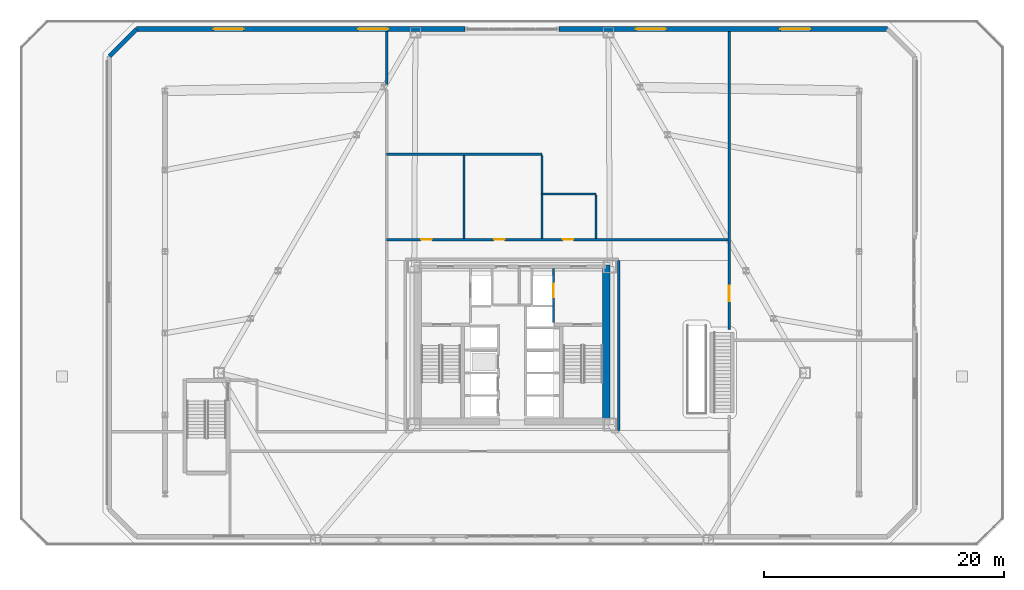
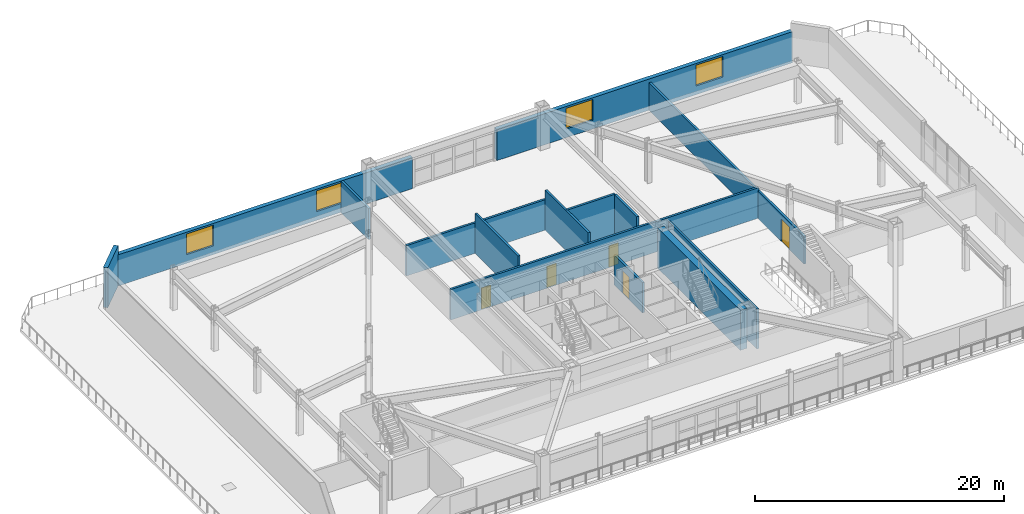
# One storey, part 9 of 16: 14 walls, 5 doors, 4 windows, 9 openings.
"""IFC4 building model written with IfcOpenShell, lengths in metres."""

from ifc_helpers import new_model, si_unit, direction, frame, frame_2d, origin, place, context, subcontext, project, spatial, rectangle, extrude, material, layer, layer_set, type_object, element, fill, save


model = new_model("IFC4")

# Units and contexts
model_context = context("Model", 3, precision=1e-05, world=origin(), true_north=direction((0.0, 1.0)))
body_context = subcontext(model_context, "Body", "Model", "MODEL_VIEW")
ifc_project = project(units=[si_unit("LENGTHUNIT", "METRE"), si_unit("AREAUNIT", "SQUARE_METRE"), si_unit("VOLUMEUNIT", "CUBIC_METRE"), si_unit("PLANEANGLEUNIT", "RADIAN"), si_unit("MASSUNIT", "GRAM", prefix="KILO")], contexts=[model_context])

# Site, building, storey
site_placement = place(None, origin())
site = spatial("IfcSite", under=ifc_project, at=site_placement, CompositionType="ELEMENT")
building_placement = place(site_placement, origin())
building = spatial("IfcBuilding", under=site, at=building_placement, Name="Oramaril Tower", CompositionType="ELEMENT")
storey_placement = place(building_placement, frame((0.0, 0.0, 9.89990234375)))
storey = spatial("IfcBuildingStorey", under=building, at=storey_placement, Name="L02", CompositionType="ELEMENT", Elevation=9.89990234375)

# Wall, openings, windows
ifc_material_1 = material(Name="Warm Cream Limestone", Category="masonry")
ifc_layer_1 = layer(ifc_material_1, 0.3798828125)
ifc_layer_set_1 = layer_set([ifc_layer_1], Name="WT-EXT38")
wall_type_1 = type_object("IfcWallType", Name="WT-EXT38", PredefinedType="SOLIDWALL", material=ifc_layer_set_1)
wall_1_placement = place(storey_placement, frame((68.772216796875, 43.949951171875, 0.0), z_axis=(0.0, 0.0, 1.0), x_axis=(-1.0, 0.0, 0.0)))
wall_1 = element("IfcWall", 1, at=wall_1_placement, inside=storey, type_object=wall_type_1, Name="L02 Limestone Facade Wall EW-5A", PredefinedType="SOLIDWALL", context=body_context, shape_type="SweptSolid", body=[
    extrude(rectangle(XDim=27.372314453125, YDim=0.3798828125, at=frame_2d((13.68603515625, 0.0))), origin(), (0.0, 0.0, 1.0), 3.05419921875),
])
opening_1_placement = place(wall_1_placement, frame((6.414306640625, 0.0, 0.85009765625)))
opening_1 = element("IfcOpeningElement", 2, at=opening_1_placement, cuts=wall_1, Name="Opening WN-11", PredefinedType="OPENING", context=body_context, shape_type="SweptSolid", body=[
    extrude(rectangle(XDim=2.5, YDim=2.033935546875, at=frame_2d((1.25, 1.01708984375))), frame((0.0, 0.18994140625, 0.0), z_axis=(0.0, -1.0, 0.0), x_axis=(1.0, 0.0, 0.0)), (0.0, 0.0, 1.0), 0.3798828125),
])
opening_2_placement = place(wall_1_placement, frame((18.4580078125, 0.0, 0.85009765625)))
opening_2 = element("IfcOpeningElement", 3, at=opening_2_placement, cuts=wall_1, Name="Opening WN-11", PredefinedType="OPENING", context=body_context, shape_type="SweptSolid", body=[
    extrude(rectangle(XDim=2.5, YDim=2.033935546875, at=frame_2d((1.25, 1.01708984375))), frame((0.0, 0.18994140625, 0.0), z_axis=(0.0, -1.0, 0.0), x_axis=(1.0, 0.0, 0.0)), (0.0, 0.0, 1.0), 0.3798828125),
])
ifc_material_2 = material(Name="Coastal Low-E Insulated Glass", Category="glass")
window_type = type_object("IfcWindowType", Name="WNT-11", PartitioningType="SINGLE_PANEL", PredefinedType="WINDOW", material=ifc_material_2)
window_1_placement = place(opening_1_placement, origin())
window_1 = element("IfcWindow", 4, at=window_1_placement, inside=storey, type_object=window_type, Name="L02 Podium Chicago Window", OverallHeight=2.033935546875, OverallWidth=2.5, PartitioningType="SINGLE_PANEL", PredefinedType="WINDOW", context=body_context, shape_type="SweptSolid", body=[
    extrude(rectangle(XDim=2.5, YDim=2.033935546875, at=frame_2d((1.25, 1.01708984375))), frame((0.0, 0.030029296875, 0.0), z_axis=(0.0, -1.0, 0.0), x_axis=(1.0, 0.0, 0.0)), (0.0, 0.0, 1.0), 0.06005859375),
])
fill(opening_1, window_1)
window_2_placement = place(opening_2_placement, origin())
window_2 = element("IfcWindow", 5, at=window_2_placement, inside=storey, type_object=window_type, Name="L02 Podium Chicago Window", OverallHeight=2.033935546875, OverallWidth=2.5, PartitioningType="SINGLE_PANEL", PredefinedType="WINDOW", context=body_context, shape_type="SweptSolid", body=[
    extrude(rectangle(XDim=2.5, YDim=2.033935546875, at=frame_2d((1.25, 1.01708984375))), frame((0.0, 0.030029296875, 0.0), z_axis=(0.0, -1.0, 0.0), x_axis=(1.0, 0.0, 0.0)), (0.0, 0.0, 1.0), 0.06005859375),
])
fill(opening_2, window_2)

wall_2_placement = place(storey_placement, frame((33.60009765625, 43.949951171875, 0.0), z_axis=(0.0, 0.0, 1.0), x_axis=(-1.0, 0.0, 0.0)))
wall_2 = element("IfcWall", 6, at=wall_2_placement, inside=storey, type_object=wall_type_1, Name="L02 Limestone Facade Wall EW-5B", PredefinedType="SOLIDWALL", context=body_context, shape_type="SweptSolid", body=[
    extrude(rectangle(XDim=27.372314453125, YDim=0.3798828125, at=frame_2d((13.68603515625, 0.0))), origin(), (0.0, 0.0, 1.0), 3.05419921875),
])
opening_3_placement = place(wall_2_placement, frame((6.414306640625, 0.0, 0.85009765625)))
opening_3 = element("IfcOpeningElement", 7, at=opening_3_placement, cuts=wall_2, Name="Opening WN-11", PredefinedType="OPENING", context=body_context, shape_type="SweptSolid", body=[
    extrude(rectangle(XDim=2.5, YDim=2.033935546875, at=frame_2d((1.25, 1.01708984375))), frame((0.0, 0.18994140625, 0.0), z_axis=(0.0, -1.0, 0.0), x_axis=(1.0, 0.0, 0.0)), (0.0, 0.0, 1.0), 0.3798828125),
])
opening_4_placement = place(wall_2_placement, frame((18.4580078125, 0.0, 0.85009765625)))
opening_4 = element("IfcOpeningElement", 8, at=opening_4_placement, cuts=wall_2, Name="Opening WN-11", PredefinedType="OPENING", context=body_context, shape_type="SweptSolid", body=[
    extrude(rectangle(XDim=2.5, YDim=2.033935546875, at=frame_2d((1.25, 1.01708984375))), frame((0.0, 0.18994140625, 0.0), z_axis=(0.0, -1.0, 0.0), x_axis=(1.0, 0.0, 0.0)), (0.0, 0.0, 1.0), 0.3798828125),
])
window_3_placement = place(opening_3_placement, origin())
window_3 = element("IfcWindow", 9, at=window_3_placement, inside=storey, type_object=window_type, Name="L02 Podium Chicago Window", OverallHeight=2.033935546875, OverallWidth=2.5, PartitioningType="SINGLE_PANEL", PredefinedType="WINDOW", context=body_context, shape_type="SweptSolid", body=[
    extrude(rectangle(XDim=2.5, YDim=2.033935546875, at=frame_2d((1.25, 1.01708984375))), frame((0.0, 0.030029296875, 0.0), z_axis=(0.0, -1.0, 0.0), x_axis=(1.0, 0.0, 0.0)), (0.0, 0.0, 1.0), 0.06005859375),
])
fill(opening_3, window_3)
window_4_placement = place(opening_4_placement, origin())
window_4 = element("IfcWindow", 10, at=window_4_placement, inside=storey, type_object=window_type, Name="L02 Podium Chicago Window", OverallHeight=2.033935546875, OverallWidth=2.5, PartitioningType="SINGLE_PANEL", PredefinedType="WINDOW", context=body_context, shape_type="SweptSolid", body=[
    extrude(rectangle(XDim=2.5, YDim=2.033935546875, at=frame_2d((1.25, 1.01708984375))), frame((0.0, 0.030029296875, 0.0), z_axis=(0.0, -1.0, 0.0), x_axis=(1.0, 0.0, 0.0)), (0.0, 0.0, 1.0), 0.06005859375),
])
fill(opening_4, window_4)

# Wall
wall_3_placement = place(storey_placement, frame((6.227783203125, 43.949951171875, 0.0), z_axis=(0.0, 0.0, 1.0), x_axis=(-0.707106781187, -0.707106781187, 0.0)))
element("IfcWall", 11, at=wall_3_placement, inside=storey, type_object=wall_type_1, Name="L02 Limestone Facade Wall EW-6M", PredefinedType="SOLIDWALL", context=body_context, shape_type="SweptSolid", body=[
    extrude(rectangle(XDim=3.221435546875, YDim=0.3798828125, at=frame_2d((1.61083984375, 0.0))), origin(), (0.0, 0.0, 1.0), 3.920166015625),
])

# Wall, openings, doors
ifc_material_3 = material(Name="Autoclaved Cellular Concrete Block", Category="concrete")
ifc_layer_2 = layer(ifc_material_3, 0.199951171875)
ifc_layer_set_2 = layer_set([ifc_layer_2], Name="WT-PT20")
wall_type_2 = type_object("IfcWallType", Name="WT-PT20", PredefinedType="PARTITIONING", material=ifc_layer_set_2)
wall_4_placement = place(storey_placement, frame((27.050048828125, 26.39990234375, 0.0), z_axis=(0.0, 0.0, 1.0), x_axis=(1.0, 0.0, 0.0)))
wall_4 = element("IfcWall", 12, at=wall_4_placement, inside=storey, type_object=wall_type_2, Name="L02 Interior Partition PT-20", PredefinedType="PARTITIONING", context=body_context, shape_type="SweptSolid", body=[
    extrude(rectangle(XDim=28.550048828125, YDim=0.199951171875, at=frame_2d((14.27490234375, 0.0))), origin(), (0.0, 0.0, 1.0), 2.983154296875),
])
opening_5_placement = place(wall_4_placement, frame((2.885498046875, 0.0, 0.0)))
opening_5 = element("IfcOpeningElement", 13, at=opening_5_placement, cuts=wall_4, Name="Opening D-L02-02", PredefinedType="OPENING", context=body_context, shape_type="SweptSolid", body=[
    extrude(rectangle(XDim=0.8798828125, YDim=2.080078125, at=frame_2d((0.43994140625, 1.0400390625))), frame((0.0, 0.10009765625, 0.0), z_axis=(0.0, -1.0, 0.0), x_axis=(1.0, 0.0, 0.0)), (0.0, 0.0, 1.0), 0.199951171875),
])
opening_6_placement = place(wall_4_placement, frame((8.964111328125, 0.0, 0.0)))
opening_6 = element("IfcOpeningElement", 14, at=opening_6_placement, cuts=wall_4, Name="Opening D-L02-03", PredefinedType="OPENING", context=body_context, shape_type="SweptSolid", body=[
    extrude(rectangle(XDim=0.8798828125, YDim=2.080078125, at=frame_2d((0.43994140625, 1.0400390625))), frame((0.0, 0.10009765625, 0.0), z_axis=(0.0, -1.0, 0.0), x_axis=(1.0, 0.0, 0.0)), (0.0, 0.0, 1.0), 0.199951171875),
])
opening_7_placement = place(wall_4_placement, frame((14.687744140625, 0.0, 0.0)))
opening_7 = element("IfcOpeningElement", 15, at=opening_7_placement, cuts=wall_4, Name="Opening D-L02-04", PredefinedType="OPENING", context=body_context, shape_type="SweptSolid", body=[
    extrude(rectangle(XDim=0.8798828125, YDim=2.080078125, at=frame_2d((0.43994140625, 1.0400390625))), frame((0.0, 0.10009765625, 0.0), z_axis=(0.0, -1.0, 0.0), x_axis=(1.0, 0.0, 0.0)), (0.0, 0.0, 1.0), 0.199951171875),
])
ifc_material_4 = material(Name="FSC Brazilian Freijo Hardwood", Category="wood")
door_type_1 = type_object("IfcDoorType", Name="DT-BATH", OperationType="NOTDEFINED", PredefinedType="DOOR", material=ifc_material_4)
door_1_placement = place(opening_5_placement, origin())
door_1 = element("IfcDoor", 16, at=door_1_placement, inside=storey, type_object=door_type_1, Name="L02 L02 Male WC Door D-L02-02", OperationType="SINGLE_SWING_LEFT", OverallHeight=2.080078125, OverallWidth=0.8798828125, PredefinedType="DOOR", context=body_context, shape_type="SweptSolid", body=[
    extrude(rectangle(XDim=0.8798828125, YDim=2.080078125, at=frame_2d((0.43994140625, 1.0400390625))), frame((0.0, 0.02490234375, 0.0), z_axis=(0.0, -1.0, 0.0), x_axis=(1.0, 0.0, 0.0)), (0.0, 0.0, 1.0), 0.050048828125),
])
fill(opening_5, door_1)
door_2_placement = place(opening_6_placement, origin())
door_2 = element("IfcDoor", 17, at=door_2_placement, inside=storey, type_object=door_type_1, Name="L02 L02 Female WC Door D-L02-03", OperationType="SINGLE_SWING_RIGHT", OverallHeight=2.080078125, OverallWidth=0.8798828125, PredefinedType="DOOR", context=body_context, shape_type="SweptSolid", body=[
    extrude(rectangle(XDim=0.8798828125, YDim=2.080078125, at=frame_2d((0.43994140625, 1.0400390625))), frame((0.0, 0.02490234375, 0.0), z_axis=(0.0, -1.0, 0.0), x_axis=(1.0, 0.0, 0.0)), (0.0, 0.0, 1.0), 0.050048828125),
])
fill(opening_6, door_2)
door_3_placement = place(opening_7_placement, origin())
door_3 = element("IfcDoor", 18, at=door_3_placement, inside=storey, type_object=door_type_1, Name="L02 L02 Accessible WC Door D-L02-04", OperationType="SINGLE_SWING_LEFT", OverallHeight=2.080078125, OverallWidth=0.8798828125, PredefinedType="DOOR", context=body_context, shape_type="SweptSolid", body=[
    extrude(rectangle(XDim=0.8798828125, YDim=2.080078125, at=frame_2d((0.43994140625, 1.0400390625))), frame((0.0, 0.02490234375, 0.0), z_axis=(0.0, -1.0, 0.0), x_axis=(1.0, 0.0, 0.0)), (0.0, 0.0, 1.0), 0.050048828125),
])
fill(opening_7, door_3)

# Walls
wall_5_placement = place(storey_placement, frame((40.0, 30.199951171875, 0.0), z_axis=(0.0, 0.0, 1.0), x_axis=(1.0, 0.0, 0.0)))
element("IfcWall", 19, at=wall_5_placement, inside=storey, type_object=wall_type_2, Name="L02 Interior Partition PT-20", PredefinedType="PARTITIONING", context=body_context, shape_type="SweptSolid", body=[
    extrude(rectangle(XDim=4.5, YDim=0.199951171875, at=frame_2d((2.25, 0.0))), origin(), (0.0, 0.0, 1.0), 3.920166015625),
])
wall_6_placement = place(storey_placement, frame((27.050048828125, 33.5, 0.0), z_axis=(0.0, 0.0, 1.0), x_axis=(1.0, 0.0, 0.0)))
element("IfcWall", 20, at=wall_6_placement, inside=storey, type_object=wall_type_2, Name="L02 Interior Partition PT-20", PredefinedType="PARTITIONING", context=body_context, shape_type="SweptSolid", body=[
    extrude(rectangle(XDim=12.949951171875, YDim=0.199951171875, at=frame_2d((6.47509765625, 0.0))), origin(), (0.0, 0.0, 1.0), 2.983154296875),
])
wall_7_placement = place(storey_placement, frame((27.050048828125, 39.33154296875, 0.0), z_axis=(0.0, 0.0, 1.0), x_axis=(0.0, 1.0, 0.0)))
element("IfcWall", 21, at=wall_7_placement, inside=storey, type_object=wall_type_2, Name="L02 Interior Partition PT-20", PredefinedType="PARTITIONING", context=body_context, shape_type="SweptSolid", body=[
    extrude(rectangle(XDim=4.424560546875, YDim=0.199951171875, at=frame_2d((2.21240234375, 0.0))), origin(), (0.0, 0.0, 1.0), 3.05419921875),
])
for number, where, z_axis, x_axis, name in (
    (22, (33.5, 26.50390625, 0.0), (0.0, 0.0, 1.0), (0.0, 1.0, 0.0), "L02 Interior Partition PT-20"),
    (23, (40.0, 26.50390625, 0.0), (0.0, 0.0, 1.0), (0.0, 1.0, 0.0), "L02 Interior Partition PT-20"),
):
    element("IfcWall", number, at=place(storey_placement, frame(where, z_axis=z_axis, x_axis=x_axis)), inside=storey, type_object=wall_type_2, Name=name, PredefinedType="PARTITIONING", context=body_context, shape_type="SweptSolid", body=[
        extrude(rectangle(XDim=6.89208984375, YDim=0.199951171875, at=frame_2d((3.446044921875, 0.0))), origin(), (0.0, 0.0, 1.0), 3.920166015625),
    ])
wall_8_placement = place(storey_placement, frame((44.5, 26.50390625, 0.0), z_axis=(0.0, 0.0, 1.0), x_axis=(0.0, 1.0, 0.0)))
element("IfcWall", 24, at=wall_8_placement, inside=storey, type_object=wall_type_2, Name="L02 Interior Partition PT-20", PredefinedType="PARTITIONING", context=body_context, shape_type="SweptSolid", body=[
    extrude(rectangle(XDim=3.592041015625, YDim=0.199951171875, at=frame_2d((1.7958984375, 0.0))), origin(), (0.0, 0.0, 1.0), 3.920166015625),
])
wall_9_placement = place(storey_placement, frame((46.3798828125, 10.50390625, 0.0), z_axis=(0.0, 0.0, 1.0), x_axis=(0.0, 1.0, 0.0)))
element("IfcWall", 25, at=wall_9_placement, inside=storey, type_object=wall_type_2, Name="L02 Interior Partition PT-20", PredefinedType="PARTITIONING", context=body_context, shape_type="SweptSolid", body=[
    extrude(rectangle(XDim=14.14208984375, YDim=0.199951171875, at=frame_2d((7.071044921875, 0.0))), origin(), (0.0, 0.0, 1.0), 3.920166015625),
])

# Wall, opening, door
wall_10_placement = place(storey_placement, frame((55.60009765625, 18.889404296875, 0.0), z_axis=(0.0, 0.0, 1.0), x_axis=(0.0, 1.0, 0.0)))
wall_10 = element("IfcWall", 26, at=wall_10_placement, inside=storey, type_object=wall_type_2, Name="L02 Interior Partition PT-20", PredefinedType="PARTITIONING", context=body_context, shape_type="SweptSolid", body=[
    extrude(rectangle(XDim=24.86669921875, YDim=0.199951171875, at=frame_2d((12.433349609375, 0.0))), origin(), (0.0, 0.0, 1.0), 2.710205078125),
])
opening_8_placement = place(wall_10_placement, frame((2.3564453125, 0.0, 0.0)))
opening_8 = element("IfcOpeningElement", 27, at=opening_8_placement, cuts=wall_10, Name="Opening D-L02-07", PredefinedType="OPENING", context=body_context, shape_type="SweptSolid", body=[
    extrude(rectangle(XDim=1.300048828125, YDim=2.199951171875, at=frame_2d((0.64990234375, 1.10009765625))), frame((0.0, 0.10009765625, 0.0), z_axis=(0.0, -1.0, 0.0), x_axis=(1.0, 0.0, 0.0)), (0.0, 0.0, 1.0), 0.199951171875),
])
ifc_material_5 = material(Name="FSC Brazilian Freijo Hardwood", Category="wood")
door_type_2 = type_object("IfcDoorType", Name="DT-COM", OperationType="NOTDEFINED", PredefinedType="DOOR", material=ifc_material_5)
door_4_placement = place(opening_8_placement, origin())
door_4 = element("IfcDoor", 28, at=door_4_placement, inside=storey, type_object=door_type_2, Name="L02 L02 Residents Ballroom and Banquet Hall Door D-L02-07", OperationType="SINGLE_SWING_RIGHT", OverallHeight=2.199951171875, OverallWidth=1.300048828125, PredefinedType="DOOR", context=body_context, shape_type="SweptSolid", body=[
    extrude(rectangle(XDim=1.300048828125, YDim=2.199951171875, at=frame_2d((0.64990234375, 1.10009765625))), frame((0.0, 0.02490234375, 0.0), z_axis=(0.0, -1.0, 0.0), x_axis=(1.0, 0.0, 0.0)), (0.0, 0.0, 1.0), 0.050048828125),
])
fill(opening_8, door_4)

# Wall
ifc_material_6 = material(Name="Concrete C50/60", Category="concrete")
ifc_layer_3 = layer(ifc_material_6, 0.60009765625)
ifc_layer_set_3 = layer_set([ifc_layer_3], Name="WT-SH60")
wall_type_3 = type_object("IfcWallType", Name="WT-SH60", PredefinedType="SHEAR", material=ifc_layer_set_3)
wall_11_placement = place(storey_placement, frame((45.360107421875, 11.0, 0.0), z_axis=(0.0, 0.0, 1.0), x_axis=(0.0, 1.0, 0.0)))
element("IfcWall", 29, at=wall_11_placement, inside=storey, type_object=wall_type_3, Name="L02 Core Shear Wall CW-E", PredefinedType="SHEAR", context=body_context, shape_type="SweptSolid", body=[
    extrude(rectangle(XDim=13.300048828125, YDim=0.60009765625, at=frame_2d((6.64990234375, 0.0))), origin(), (0.0, 0.0, 1.0), 3.920166015625),
])

# Wall, opening, door
ifc_material_7 = material(Name="Autoclaved Cellular Concrete Block", Category="concrete")
ifc_layer_4 = layer(ifc_material_7, 0.199951171875)
ifc_layer_set_4 = layer_set([ifc_layer_4], Name="WT-SHF20")
wall_type_4 = type_object("IfcWallType", Name="WT-SHF20", PredefinedType="PARTITIONING", material=ifc_layer_set_4)
wall_12_placement = place(storey_placement, frame((40.9599609375, 19.47998046875, 0.0), z_axis=(0.0, 0.0, 1.0), x_axis=(0.0, 1.0, 0.0)))
wall_12 = element("IfcWall", 30, at=wall_12_placement, inside=storey, type_object=wall_type_4, Name="L02 FL-2 Lobby Shaft Wall", PredefinedType="PARTITIONING", context=body_context, shape_type="SweptSolid", body=[
    extrude(rectangle(XDim=4.5, YDim=0.199951171875, at=frame_2d((2.25, 0.0))), origin(), (0.0, 0.0, 1.0), 2.960205078125),
])
opening_9_placement = place(wall_12_placement, frame((2.1201171875, 0.0, 0.0)))
opening_9 = element("IfcOpeningElement", 31, at=opening_9_placement, cuts=wall_12, Name="Opening LD-L02-FL-2", PredefinedType="OPENING", context=body_context, shape_type="SweptSolid", body=[
    extrude(rectangle(XDim=1.10009765625, YDim=2.199951171875, at=frame_2d((0.550048828125, 1.10009765625))), frame((0.0, 0.10009765625, 0.0), z_axis=(0.0, -1.0, 0.0), x_axis=(1.0, 0.0, 0.0)), (0.0, 0.0, 1.0), 0.199951171875),
])
ifc_material_8 = material(Name="Stainless Steel 316L", Category="steel")
door_type_3 = type_object("IfcDoorType", Name="DT-LD1", OperationType="NOTDEFINED", PredefinedType="DOOR", material=ifc_material_8)
door_5_placement = place(opening_9_placement, origin())
door_5 = element("IfcDoor", 32, at=door_5_placement, inside=storey, type_object=door_type_3, Name="L02 Lift FL-2 Sliding Landing Door", OperationType="SLIDING_TO_RIGHT", OverallHeight=2.199951171875, OverallWidth=1.10009765625, PredefinedType="DOOR", context=body_context, shape_type="SweptSolid", body=[
    extrude(rectangle(XDim=1.10009765625, YDim=2.199951171875, at=frame_2d((0.550048828125, 1.10009765625))), frame((0.0, 0.02490234375, 0.0), z_axis=(0.0, -1.0, 0.0), x_axis=(1.0, 0.0, 0.0)), (0.0, 0.0, 1.0), 0.050048828125),
])
fill(opening_9, door_5)

save(model, "model.ifc")
